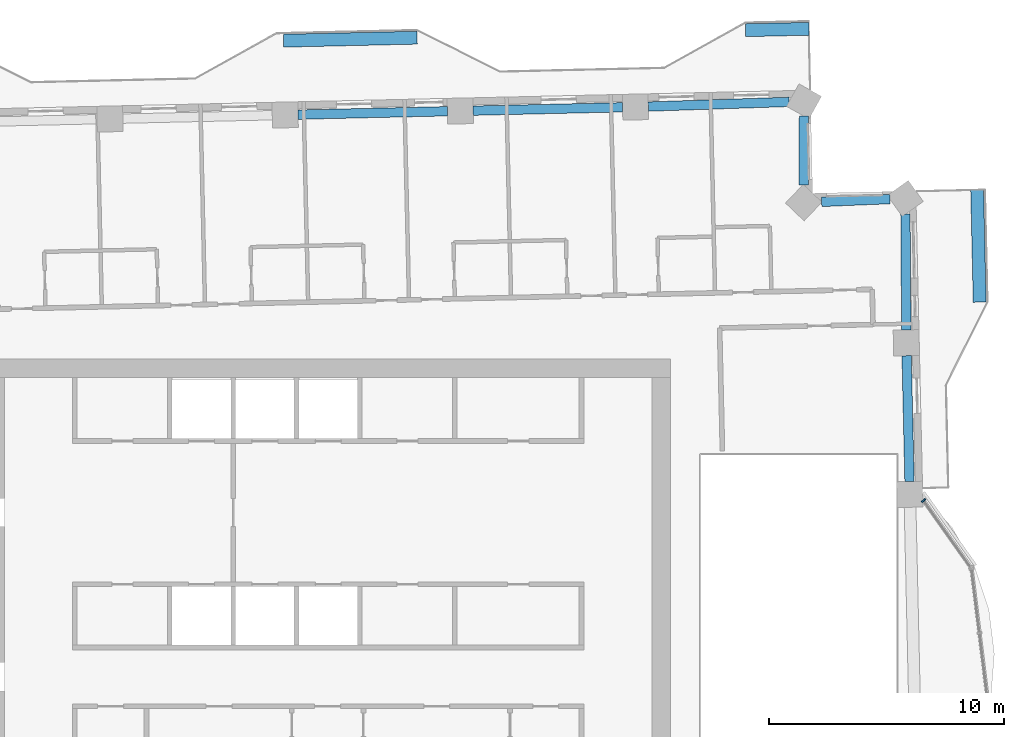
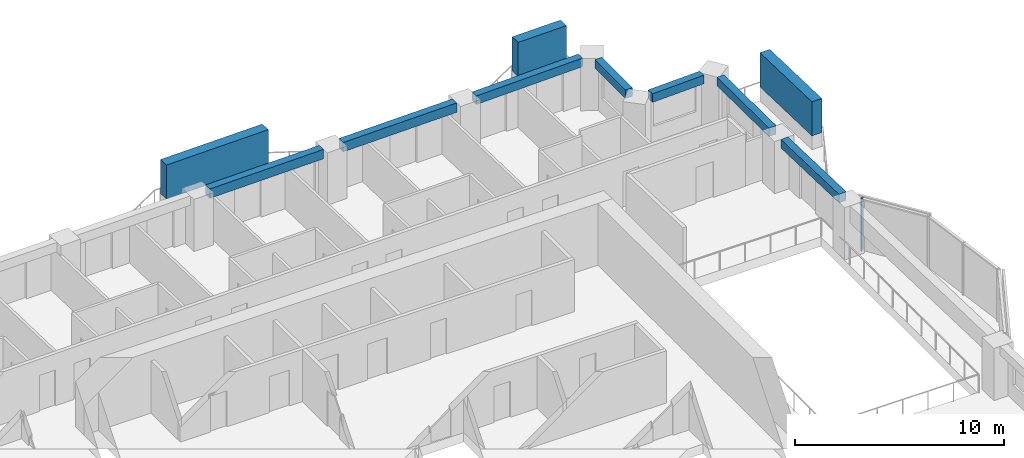
# One storey, part 4 of 17: 7 beams, 4 members, 1 element without a shape of its own.
"""IFC4 building model written with IfcOpenShell, lengths in metres."""

from ifc_helpers import new_model, si_unit, direction, frame, origin, origin_2d, place, context, subcontext, project, spatial, rectangle, extrude, material, material_profile, profile_set, type_object, element, aggregate, save


model = new_model("IFC4")

# Units and contexts
model_context = context("Model", 3, precision=1e-05, world=origin(), true_north=direction((0.0, 1.0)))
body_context = subcontext(model_context, "Body", "Model", "MODEL_VIEW")
ifc_project = project(units=[si_unit("LENGTHUNIT", "METRE"), si_unit("AREAUNIT", "SQUARE_METRE"), si_unit("VOLUMEUNIT", "CUBIC_METRE"), si_unit("PLANEANGLEUNIT", "RADIAN"), si_unit("MASSUNIT", "GRAM", prefix="KILO")], contexts=[model_context])

# Site, building, storey
site_placement = place(None, origin())
site = spatial("IfcSite", under=ifc_project, at=site_placement, CompositionType="ELEMENT")
building_placement = place(site_placement, origin())
building = spatial("IfcBuilding", under=site, at=building_placement, Name="Mangrove Gate Tower", CompositionType="ELEMENT")
storey_placement = place(building_placement, frame((0.0, 0.0, 234.699951171875)))
storey = spatial("IfcBuildingStorey", under=building, at=storey_placement, Name="L59", CompositionType="ELEMENT", Elevation=234.699951171875)

# Curtain wall, member
ifc_material_1 = material(Name="Aluminium and glass curtain wall", Category="aluminium")
curtain_wall_type = type_object("IfcCurtainWallType", Name="Atrium garden-court glazing wall", PredefinedType="NOTDEFINED", material=ifc_material_1)
curtain_wall_placement = place(storey_placement, origin())
curtain_wall = element("IfcCurtainWall", 1, at=curtain_wall_placement, inside=storey, type_object=curtain_wall_type, Name="Atrium garden-court glazing E1f3", PredefinedType="NOTDEFINED")
ifc_material_2 = material(Name="Aluminium alloy 6063-T6", Category="aluminium")
ifc_material_profile_1 = material_profile(ifc_material_2, rectangle(XDim=0.070068359375, YDim=0.199951171875, at=origin_2d()))
ifc_profile_set_1 = profile_set([ifc_material_profile_1], Name="Aluminium alloy 6063-T6")
member_type_1 = type_object("IfcMemberType", Name="Atrium garden-court glazing mullion 70x200", PredefinedType="MULLION", material=ifc_profile_set_1)
member_1_placement = place(storey_placement, frame((25.376708984375, 5.565185546875, 0.0), z_axis=(0.0, 0.0, 1.0), x_axis=(-0.578120908245, 0.815951110944, 0.0)))
member_1 = element("IfcMember", 2, at=member_1_placement, type_object=member_type_1, Name="CWA mullion 2", PredefinedType="MULLION", context=body_context, shape_type="SweptSolid", body=[
    extrude(rectangle(XDim=0.070068359375, YDim=0.199951171875, at=origin_2d()), origin(), (0.0, 0.0, 1.0), 3.050048828125),
])
aggregate(curtain_wall, [member_1])

# Members
ifc_material_3 = material(Name="Planting on aluminium trellis", Category="aluminium")
ifc_material_profile_2 = material_profile(ifc_material_3, rectangle(XDim=0.550048828125, YDim=2.0, at=origin_2d()))
ifc_profile_set_2 = profile_set([ifc_material_profile_2], Name="Planting on aluminium trellis")
member_type_2 = type_object("IfcMemberType", Name="Balcony greenery screen 550x2000", PredefinedType="USERDEFINED", material=ifc_profile_set_2)
member_2_placement = place(storey_placement, frame((27.77099609375, 14.02099609375, 1.800048828125), z_axis=(-0.02268789488, 0.999742596585, 0.0), x_axis=(-0.999742596585, -0.02268789488, 0.0)))
element("IfcMember", 3, at=member_2_placement, inside=storey, type_object=member_type_2, Name="GREEN SCREEN L59 E1.1", ObjectType="PLANTING", PredefinedType="USERDEFINED", context=body_context, shape_type="SweptSolid", body=[
    extrude(rectangle(XDim=0.550048828125, YDim=2.0, at=origin_2d()), origin(), (0.0, 0.0, 1.0), 4.79931640625),
])
member_3_placement = place(storey_placement, frame((-1.908935546875, 25.1650390625, 1.800048828125), z_axis=(0.999744284001, 0.022613416525, 0.0), x_axis=(-0.022613416525, 0.999744284001, 0.0)))
element("IfcMember", 4, at=member_3_placement, inside=storey, type_object=member_type_2, Name="GREEN SCREEN L59 N0.1", ObjectType="PLANTING", PredefinedType="USERDEFINED", context=body_context, shape_type="SweptSolid", body=[
    extrude(rectangle(XDim=0.550048828125, YDim=2.0, at=origin_2d()), origin(), (0.0, 0.0, 1.0), 5.700439453125),
])
member_4_placement = place(storey_placement, frame((17.785888671875, 25.612060546875, 1.800048828125), z_axis=(0.999745364927, 0.022565577937, 0.0), x_axis=(-0.022565577937, 0.999745364927, 0.0)))
element("IfcMember", 5, at=member_4_placement, inside=storey, type_object=member_type_2, Name="GREEN SCREEN L59 N0.2", ObjectType="PLANTING", PredefinedType="USERDEFINED", context=body_context, shape_type="SweptSolid", body=[
    extrude(rectangle(XDim=0.550048828125, YDim=2.0, at=origin_2d()), origin(), (0.0, 0.0, 1.0), 2.704833984375),
])

# Beams
ifc_material_4 = material(Name="Concrete C50/60", Category="concrete")
ifc_material_profile_3 = material_profile(ifc_material_4, rectangle(XDim=0.39990234375, YDim=0.5, at=origin_2d()))
ifc_profile_set_3 = profile_set([ifc_material_profile_3], Name="Concrete C50/60")
beam_type_1 = type_object("IfcBeamType", Name="Edge beam RC 400x500 C50/60", PredefinedType="BEAM", material=ifc_profile_set_3)
beam_1_placement = place(storey_placement, frame((24.778564453125, 6.37548828125, 2.800048828125), z_axis=(-0.022718302797, 0.999741906053, 0.0), x_axis=(-0.999741906053, -0.022718302797, 0.0)))
element("IfcBeam", 6, at=beam_1_placement, inside=storey, type_object=beam_type_1, Name="Edge beam L59 15", PredefinedType="BEAM", context=body_context, shape_type="SweptSolid", body=[
    extrude(rectangle(XDim=0.39990234375, YDim=0.5, at=origin_2d()), origin(), (0.0, 0.0, 1.0), 5.362548828125),
])
beam_2_placement = place(storey_placement, frame((24.64013671875, 12.836669921875, 2.800048828125), z_axis=(-0.007080081984, 0.999974935905, 0.0), x_axis=(-0.999974935905, -0.007080081984, 0.0)))
element("IfcBeam", 7, at=beam_2_placement, inside=storey, type_object=beam_type_1, Name="Edge beam L59 16", PredefinedType="BEAM", context=body_context, shape_type="SweptSolid", body=[
    extrude(rectangle(XDim=0.39990234375, YDim=0.5, at=origin_2d()), origin(), (0.0, 0.0, 1.0), 4.93115234375),
])
beam_3_placement = place(storey_placement, frame((23.94384765625, 18.413330078125, 2.800048828125), z_axis=(-0.999157008638, -0.041052065591, 0.0), x_axis=(0.041052065591, -0.999157008638, 0.0)))
element("IfcBeam", 8, at=beam_3_placement, inside=storey, type_object=beam_type_1, Name="Edge beam L59 17", PredefinedType="BEAM", context=body_context, shape_type="SweptSolid", body=[
    extrude(rectangle(XDim=0.39990234375, YDim=0.5, at=origin_2d()), origin(), (0.0, 0.0, 1.0), 2.9140625),
])
beam_4_placement = place(storey_placement, frame((20.27099609375, 19.021240234375, 2.800048828125), z_axis=(0.0027511359, 0.999996215618, 0.0), x_axis=(-0.999996215618, 0.0027511359, 0.0)))
element("IfcBeam", 9, at=beam_4_placement, inside=storey, type_object=beam_type_1, Name="Edge beam L59 18", PredefinedType="BEAM", context=body_context, shape_type="SweptSolid", body=[
    extrude(rectangle(XDim=0.39990234375, YDim=0.5, at=origin_2d()), origin(), (0.0, 0.0, 1.0), 2.928466796875),
])
beam_5_placement = place(storey_placement, frame((19.638671875, 22.557373046875, 2.800048828125), z_axis=(-0.999443957677, -0.033343297134, 0.0), x_axis=(0.033343297134, -0.999443957677, 0.0)))
element("IfcBeam", 10, at=beam_5_placement, inside=storey, type_object=beam_type_1, Name="Edge beam L59 19", PredefinedType="BEAM", context=body_context, shape_type="SweptSolid", body=[
    extrude(rectangle(XDim=0.39990234375, YDim=0.5, at=origin_2d()), origin(), (0.0, 0.0, 1.0), 5.996826171875),
])
ifc_material_5 = material(Name="Concrete C50/60", Category="concrete")
ifc_material_profile_4 = material_profile(ifc_material_5, rectangle(XDim=0.39990234375, YDim=0.550048828125, at=origin_2d()))
ifc_profile_set_4 = profile_set([ifc_material_profile_4], Name="Concrete C50/60")
beam_type_2 = type_object("IfcBeamType", Name="Edge beam RC 400x550 C50/60", PredefinedType="BEAM", material=ifc_profile_set_4)
beam_6_placement = place(storey_placement, frame((12.545654296875, 22.32666015625, 2.775146484375), z_axis=(-0.99974414608, -0.022619513218, 0.0), x_axis=(0.022619513218, -0.99974414608, 0.0)))
element("IfcBeam", 11, at=beam_6_placement, inside=storey, type_object=beam_type_2, Name="Edge beam L59 20", PredefinedType="BEAM", context=body_context, shape_type="SweptSolid", body=[
    extrude(rectangle(XDim=0.39990234375, YDim=0.550048828125, at=origin_2d()), origin(), (0.0, 0.0, 1.0), 6.3681640625),
])
beam_7_placement = place(storey_placement, frame((5.07958984375, 22.15771484375, 2.775146484375), z_axis=(-0.999744126464, -0.02262038022, 0.0), x_axis=(0.02262038022, -0.999744126464, 0.0)))
element("IfcBeam", 12, at=beam_7_placement, inside=storey, type_object=beam_type_2, Name="Edge beam L59 21", PredefinedType="BEAM", context=body_context, shape_type="SweptSolid", body=[
    extrude(rectangle(XDim=0.39990234375, YDim=0.550048828125, at=origin_2d()), origin(), (0.0, 0.0, 1.0), 6.367919921875),
])

save(model, "model.ifc")
